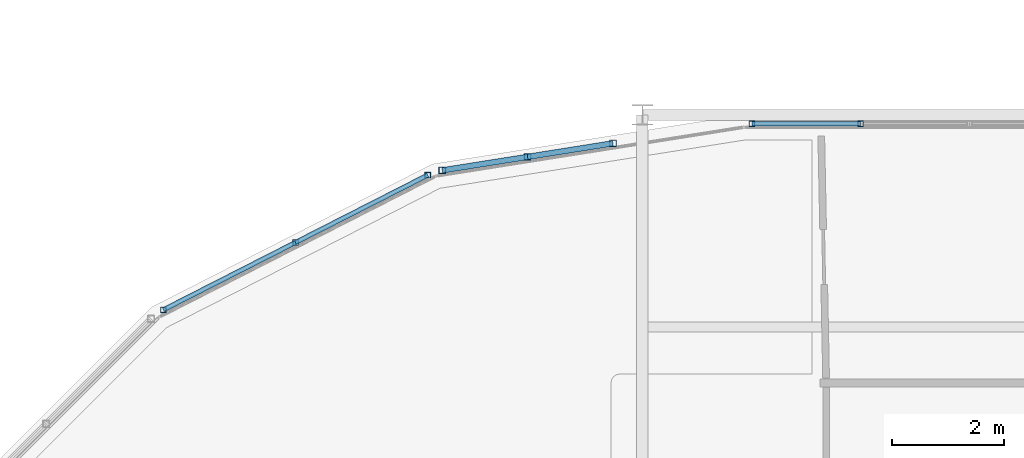
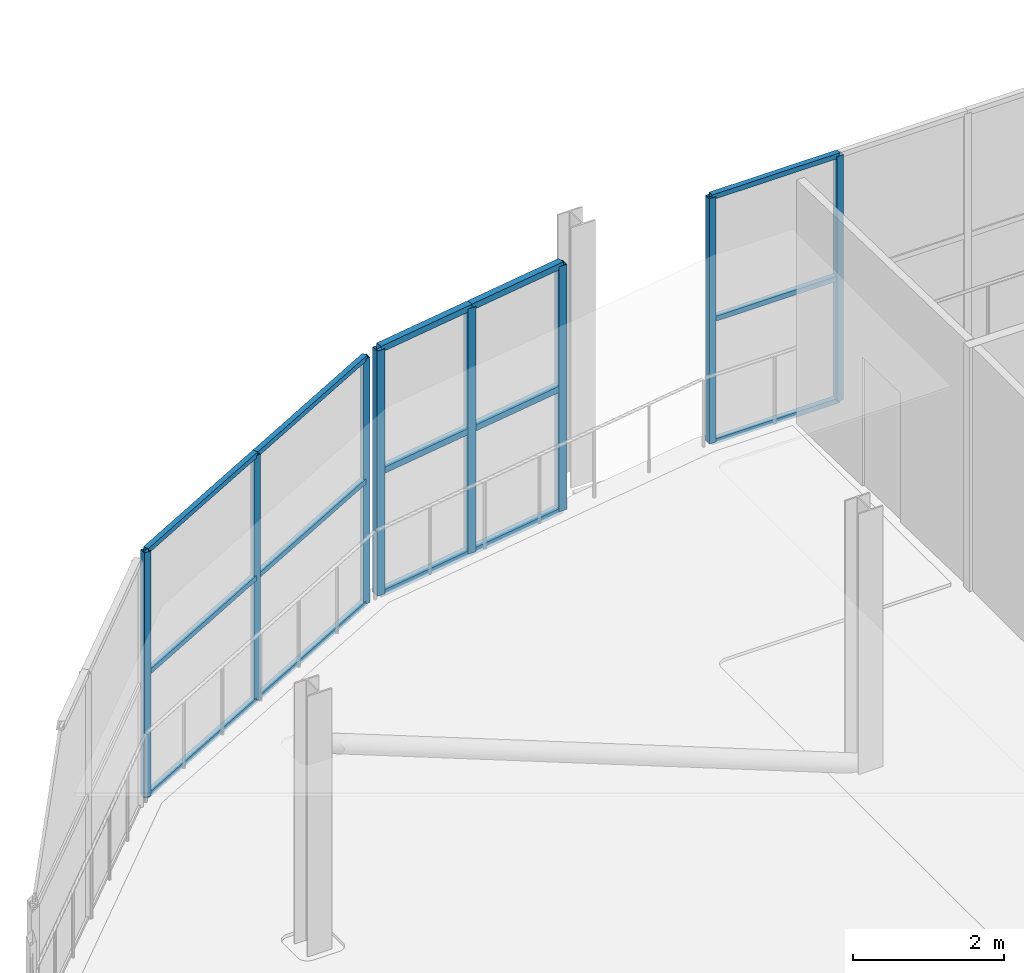
# One storey, part 56 of 217: 23 members, 3 elements without a shape of their own.
"""IFC4 building model written with IfcOpenShell, lengths in metres."""

from ifc_helpers import new_model, si_unit, direction, frame, origin, origin_2d, place, context, subcontext, project, spatial, hollow_rectangle, extrude, material, material_profile, profile_set, type_object, element, aggregate, save


model = new_model("IFC4")

# Units and contexts
model_context = context("Model", 3, precision=1e-05, world=origin(), true_north=direction((0.0, 1.0)))
body_context = subcontext(model_context, "Body", "Model", "MODEL_VIEW")
ifc_project = project(units=[si_unit("LENGTHUNIT", "METRE"), si_unit("AREAUNIT", "SQUARE_METRE"), si_unit("VOLUMEUNIT", "CUBIC_METRE"), si_unit("PLANEANGLEUNIT", "RADIAN"), si_unit("MASSUNIT", "GRAM", prefix="KILO")], contexts=[model_context])

# Site, building, storey
site_placement = place(None, origin())
site = spatial("IfcSite", under=ifc_project, at=site_placement, CompositionType="ELEMENT")
building_placement = place(site_placement, origin())
building = spatial("IfcBuilding", under=site, at=building_placement, Name="Zuvorla Pavilion Media Centre", CompositionType="ELEMENT")
storey_placement = place(building_placement, frame((0.0, 0.0, 9.60009765625)))
storey = spatial("IfcBuildingStorey", under=building, at=storey_placement, Name="L02", CompositionType="ELEMENT", Elevation=9.60009765625)

# Curtain wall, members
ifc_material_1 = material(Name="Unitised anodised aluminium and solar glass curtain wall", Category="aluminium")
curtain_wall_type_1 = type_object("IfcCurtainWallType", Name="CW-SYS-19", PredefinedType="USERDEFINED", material=ifc_material_1)
curtain_wall_1_placement = place(storey_placement, origin())
curtain_wall_1 = element("IfcCurtainWall", 1, at=curtain_wall_1_placement, inside=storey, type_object=curtain_wall_type_1, Name="L02 curtain wall CW19 26", ObjectType="CURTAIN WALL", PredefinedType="USERDEFINED")
ifc_material_2 = material(Name="Anodised aluminium 6063-T6", Category="aluminium")
ifc_material_profile_1 = material_profile(ifc_material_2, hollow_rectangle(XDim=0.10009765625, YDim=0.10009765625, WallThickness=0.00439453125, at=origin_2d()), Name="ALU MULL 100x100")
ifc_profile_set_1 = profile_set([ifc_material_profile_1], Name="Anodised aluminium 6063-T6")
member_type_1 = type_object("IfcMemberType", Name="CW-MULL-100", PredefinedType="MULLION", material=ifc_profile_set_1)
member_1_placement = place(storey_placement, frame((28.70654296875, 89.43994140625, 0.0), z_axis=(0.0, 0.0, 1.0), x_axis=(1.0, 0.0, 0.0)))
member_1 = element("IfcMember", 2, at=member_1_placement, type_object=member_type_1, Name="CW19 mullion 3", PredefinedType="MULLION", context=body_context, shape_type="SweptSolid", body=[
    extrude(hollow_rectangle(XDim=0.10009765625, YDim=0.10009765625, WallThickness=0.00439453125, at=origin_2d()), origin(), (0.0, 0.0, 1.0), 3.949951171875),
])
member_2_placement = place(storey_placement, frame((26.760009765625, 89.43994140625, 0.0), z_axis=(0.0, 0.0, 1.0), x_axis=(1.0, 0.0, 0.0)))
member_2 = element("IfcMember", 3, at=member_2_placement, type_object=member_type_1, Name="CW19 mullion 4", PredefinedType="MULLION", context=body_context, shape_type="SweptSolid", body=[
    extrude(hollow_rectangle(XDim=0.10009765625, YDim=0.10009765625, WallThickness=0.00439453125, at=origin_2d()), origin(), (0.0, 0.0, 1.0), 3.949951171875),
])

curtain_wall_type_2 = type_object("IfcCurtainWallType", Name="CW-SYS-02", PredefinedType="USERDEFINED", material=ifc_material_1)
curtain_wall_2_placement = place(storey_placement, origin())
curtain_wall_2 = element("IfcCurtainWall", 4, at=curtain_wall_2_placement, inside=storey, type_object=curtain_wall_type_2, Name="L02 curtain wall CW02 28", ObjectType="CURTAIN WALL", PredefinedType="USERDEFINED")
member_3_placement = place(storey_placement, frame((20.958740234375, 88.521484375, 0.0), z_axis=(0.0, 0.0, 1.0), x_axis=(1.0, 0.0, 0.0)))
member_3 = element("IfcMember", 5, at=member_3_placement, type_object=member_type_1, Name="CW02 mullion 1", PredefinedType="MULLION", context=body_context, shape_type="SweptSolid", body=[
    extrude(hollow_rectangle(XDim=0.10009765625, YDim=0.10009765625, WallThickness=0.00439453125, at=origin_2d()), origin(), (0.0, 0.0, 1.0), 3.949951171875),
])
member_4_placement = place(storey_placement, frame((18.59228515625, 87.31591796875, 0.0), z_axis=(0.0, 0.0, 1.0), x_axis=(1.0, 0.0, 0.0)))
member_4 = element("IfcMember", 6, at=member_4_placement, type_object=member_type_1, Name="CW02 mullion 2", PredefinedType="MULLION", context=body_context, shape_type="SweptSolid", body=[
    extrude(hollow_rectangle(XDim=0.10009765625, YDim=0.10009765625, WallThickness=0.00439453125, at=origin_2d()), origin(), (0.0, 0.0, 1.0), 3.949951171875),
])
member_5_placement = place(storey_placement, frame((16.22607421875, 86.110107421875, 0.0), z_axis=(0.0, 0.0, 1.0), x_axis=(1.0, 0.0, 0.0)))
member_5 = element("IfcMember", 7, at=member_5_placement, type_object=member_type_1, Name="CW02 mullion 3", PredefinedType="MULLION", context=body_context, shape_type="SweptSolid", body=[
    extrude(hollow_rectangle(XDim=0.10009765625, YDim=0.10009765625, WallThickness=0.00439453125, at=origin_2d()), origin(), (0.0, 0.0, 1.0), 3.949951171875),
])

curtain_wall_type_3 = type_object("IfcCurtainWallType", Name="CW-SYS-01", PredefinedType="USERDEFINED", material=ifc_material_1)
curtain_wall_3_placement = place(storey_placement, origin())
curtain_wall_3 = element("IfcCurtainWall", 8, at=curtain_wall_3_placement, inside=storey, type_object=curtain_wall_type_3, Name="L02 curtain wall CW01 27", ObjectType="CURTAIN WALL", PredefinedType="USERDEFINED")
ifc_material_profile_2 = material_profile(ifc_material_2, hollow_rectangle(XDim=0.1201171875, YDim=0.1201171875, WallThickness=0.0048828125, at=origin_2d()), Name="ALU MULL 120x120")
ifc_profile_set_2 = profile_set([ifc_material_profile_2], Name="Anodised aluminium 6063-T6")
member_type_2 = type_object("IfcMemberType", Name="CW-MULL-120", PredefinedType="MULLION", material=ifc_profile_set_2)
member_6_placement = place(storey_placement, frame((24.273193359375, 89.089599609375, 0.0), z_axis=(0.0, 0.0, 1.0), x_axis=(1.0, 0.0, 0.0)))
member_6 = element("IfcMember", 9, at=member_6_placement, type_object=member_type_2, Name="CW01 mullion 1", PredefinedType="MULLION", context=body_context, shape_type="SweptSolid", body=[
    extrude(hollow_rectangle(XDim=0.1201171875, YDim=0.1201171875, WallThickness=0.0048828125, at=origin_2d()), origin(), (0.0, 0.0, 1.0), 3.949951171875),
])
member_7_placement = place(storey_placement, frame((22.745361328125, 88.84765625, 0.0), z_axis=(0.0, 0.0, 1.0), x_axis=(1.0, 0.0, 0.0)))
member_7 = element("IfcMember", 10, at=member_7_placement, type_object=member_type_2, Name="CW01 mullion 2", PredefinedType="MULLION", context=body_context, shape_type="SweptSolid", body=[
    extrude(hollow_rectangle(XDim=0.1201171875, YDim=0.1201171875, WallThickness=0.0048828125, at=origin_2d()), origin(), (0.0, 0.0, 1.0), 3.949951171875),
])
member_8_placement = place(storey_placement, frame((21.217529296875, 88.605712890625, 0.0), z_axis=(0.0, 0.0, 1.0), x_axis=(1.0, 0.0, 0.0)))
member_8 = element("IfcMember", 11, at=member_8_placement, type_object=member_type_2, Name="CW01 mullion 3", PredefinedType="MULLION", context=body_context, shape_type="SweptSolid", body=[
    extrude(hollow_rectangle(XDim=0.1201171875, YDim=0.1201171875, WallThickness=0.0048828125, at=origin_2d()), origin(), (0.0, 0.0, 1.0), 3.949951171875),
])
ifc_material_profile_3 = material_profile(ifc_material_2, hollow_rectangle(XDim=0.10009765625, YDim=0.10009765625, WallThickness=0.00439453125, at=origin_2d()), Name="ALU TRAN 100x100")
ifc_profile_set_3 = profile_set([ifc_material_profile_3], Name="Anodised aluminium 6063-T6")
member_type_3 = type_object("IfcMemberType", Name="CW-TRAN-100", PredefinedType="USERDEFINED", material=ifc_profile_set_3)
member_9_placement = place(storey_placement, frame((24.273193359375, 89.089599609375, 0.0), z_axis=(-0.987692481644, -0.156408317243, 0.0), x_axis=(0.156408317243, -0.987692481644, 0.0)))
member_9 = element("IfcMember", 12, at=member_9_placement, type_object=member_type_3, Name="CW01 transom 1.1", ObjectType="TRANSOM", PredefinedType="USERDEFINED", context=body_context, shape_type="SweptSolid", body=[
    extrude(hollow_rectangle(XDim=0.10009765625, YDim=0.10009765625, WallThickness=0.00439453125, at=origin_2d()), origin(), (0.0, 0.0, 1.0), 1.546875),
])
member_10_placement = place(storey_placement, frame((24.273193359375, 89.089599609375, 1.974853515625), z_axis=(-0.987692481644, -0.156408317243, 0.0), x_axis=(0.156408317243, -0.987692481644, 0.0)))
member_10 = element("IfcMember", 13, at=member_10_placement, type_object=member_type_3, Name="CW01 transom 1.2", ObjectType="TRANSOM", PredefinedType="USERDEFINED", context=body_context, shape_type="SweptSolid", body=[
    extrude(hollow_rectangle(XDim=0.10009765625, YDim=0.10009765625, WallThickness=0.00439453125, at=origin_2d()), origin(), (0.0, 0.0, 1.0), 1.546875),
])
member_11_placement = place(storey_placement, frame((24.273193359375, 89.089599609375, 3.949951171875), z_axis=(-0.987692481644, -0.156408317243, 0.0), x_axis=(0.156408317243, -0.987692481644, 0.0)))
member_11 = element("IfcMember", 14, at=member_11_placement, type_object=member_type_3, Name="CW01 transom 1.3", ObjectType="TRANSOM", PredefinedType="USERDEFINED", context=body_context, shape_type="SweptSolid", body=[
    extrude(hollow_rectangle(XDim=0.10009765625, YDim=0.10009765625, WallThickness=0.00439453125, at=origin_2d()), origin(), (0.0, 0.0, 1.0), 1.546875),
])
member_12_placement = place(storey_placement, frame((22.745361328125, 88.84765625, 0.0), z_axis=(-0.987692481644, -0.156408317243, 0.0), x_axis=(0.156408317243, -0.987692481644, 0.0)))
member_12 = element("IfcMember", 15, at=member_12_placement, type_object=member_type_3, Name="CW01 transom 2.1", ObjectType="TRANSOM", PredefinedType="USERDEFINED", context=body_context, shape_type="SweptSolid", body=[
    extrude(hollow_rectangle(XDim=0.10009765625, YDim=0.10009765625, WallThickness=0.00439453125, at=origin_2d()), origin(), (0.0, 0.0, 1.0), 1.546875),
])
member_13_placement = place(storey_placement, frame((22.745361328125, 88.84765625, 1.974853515625), z_axis=(-0.987692481644, -0.156408317243, 0.0), x_axis=(0.156408317243, -0.987692481644, 0.0)))
member_13 = element("IfcMember", 16, at=member_13_placement, type_object=member_type_3, Name="CW01 transom 2.2", ObjectType="TRANSOM", PredefinedType="USERDEFINED", context=body_context, shape_type="SweptSolid", body=[
    extrude(hollow_rectangle(XDim=0.10009765625, YDim=0.10009765625, WallThickness=0.00439453125, at=origin_2d()), origin(), (0.0, 0.0, 1.0), 1.546875),
])
member_14_placement = place(storey_placement, frame((22.745361328125, 88.84765625, 3.949951171875), z_axis=(-0.987692481644, -0.156408317243, 0.0), x_axis=(0.156408317243, -0.987692481644, 0.0)))
member_14 = element("IfcMember", 17, at=member_14_placement, type_object=member_type_3, Name="CW01 transom 2.3", ObjectType="TRANSOM", PredefinedType="USERDEFINED", context=body_context, shape_type="SweptSolid", body=[
    extrude(hollow_rectangle(XDim=0.10009765625, YDim=0.10009765625, WallThickness=0.00439453125, at=origin_2d()), origin(), (0.0, 0.0, 1.0), 1.546875),
])
aggregate(curtain_wall_3, [member_6, member_7, member_8, member_9, member_10, member_11, member_12, member_13, member_14])

# Member
ifc_material_profile_4 = material_profile(ifc_material_2, hollow_rectangle(XDim=0.080078125, YDim=0.080078125, WallThickness=0.00390625, at=origin_2d()), Name="ALU TRAN 80x80")
ifc_profile_set_4 = profile_set([ifc_material_profile_4], Name="Anodised aluminium 6063-T6")
member_type_4 = type_object("IfcMemberType", Name="CW-TRAN-80", PredefinedType="USERDEFINED", material=ifc_profile_set_4)
member_15_placement = place(storey_placement, frame((28.70654296875, 89.43994140625, 0.0), z_axis=(-1.0, 0.0, 0.0), x_axis=(0.0, -1.0, 0.0)))
member_15 = element("IfcMember", 18, at=member_15_placement, type_object=member_type_4, Name="CW19 transom 3.1", ObjectType="TRANSOM", PredefinedType="USERDEFINED", context=body_context, shape_type="SweptSolid", body=[
    extrude(hollow_rectangle(XDim=0.080078125, YDim=0.080078125, WallThickness=0.00390625, at=origin_2d()), origin(), (0.0, 0.0, 1.0), 1.946533203125),
])

member_16_placement = place(storey_placement, frame((28.70654296875, 89.43994140625, 1.974853515625), z_axis=(-1.0, 0.0, 0.0), x_axis=(0.0, -1.0, 0.0)))
member_16 = element("IfcMember", 19, at=member_16_placement, type_object=member_type_4, Name="CW19 transom 3.2", ObjectType="TRANSOM", PredefinedType="USERDEFINED", context=body_context, shape_type="SweptSolid", body=[
    extrude(hollow_rectangle(XDim=0.080078125, YDim=0.080078125, WallThickness=0.00390625, at=origin_2d()), origin(), (0.0, 0.0, 1.0), 1.946533203125),
])

member_17_placement = place(storey_placement, frame((28.70654296875, 89.43994140625, 3.949951171875), z_axis=(-1.0, 0.0, 0.0), x_axis=(0.0, -1.0, 0.0)))
member_17 = element("IfcMember", 20, at=member_17_placement, type_object=member_type_4, Name="CW19 transom 3.3", ObjectType="TRANSOM", PredefinedType="USERDEFINED", context=body_context, shape_type="SweptSolid", body=[
    extrude(hollow_rectangle(XDim=0.080078125, YDim=0.080078125, WallThickness=0.00390625, at=origin_2d()), origin(), (0.0, 0.0, 1.0), 1.946533203125),
])

aggregate(curtain_wall_1, [member_1, member_2, member_15, member_16, member_17])

member_18_placement = place(storey_placement, frame((20.958740234375, 88.521484375, 0.0), z_axis=(-0.891037392272, -0.453929912622, 0.0), x_axis=(0.453929912622, -0.891037392272, 0.0)))
member_18 = element("IfcMember", 21, at=member_18_placement, type_object=member_type_4, Name="CW02 transom 1.1", ObjectType="TRANSOM", PredefinedType="USERDEFINED", context=body_context, shape_type="SweptSolid", body=[
    extrude(hollow_rectangle(XDim=0.080078125, YDim=0.080078125, WallThickness=0.00390625, at=origin_2d()), origin(), (0.0, 0.0, 1.0), 2.65576171875),
])

member_19_placement = place(storey_placement, frame((20.958740234375, 88.521484375, 1.974853515625), z_axis=(-0.891037392272, -0.453929912622, 0.0), x_axis=(0.453929912622, -0.891037392272, 0.0)))
member_19 = element("IfcMember", 22, at=member_19_placement, type_object=member_type_4, Name="CW02 transom 1.2", ObjectType="TRANSOM", PredefinedType="USERDEFINED", context=body_context, shape_type="SweptSolid", body=[
    extrude(hollow_rectangle(XDim=0.080078125, YDim=0.080078125, WallThickness=0.00390625, at=origin_2d()), origin(), (0.0, 0.0, 1.0), 2.65576171875),
])

member_20_placement = place(storey_placement, frame((20.958740234375, 88.521484375, 3.949951171875), z_axis=(-0.891037392272, -0.453929912622, 0.0), x_axis=(0.453929912622, -0.891037392272, 0.0)))
member_20 = element("IfcMember", 23, at=member_20_placement, type_object=member_type_4, Name="CW02 transom 1.3", ObjectType="TRANSOM", PredefinedType="USERDEFINED", context=body_context, shape_type="SweptSolid", body=[
    extrude(hollow_rectangle(XDim=0.080078125, YDim=0.080078125, WallThickness=0.00390625, at=origin_2d()), origin(), (0.0, 0.0, 1.0), 2.65576171875),
])

member_21_placement = place(storey_placement, frame((18.59228515625, 87.31591796875, 0.0), z_axis=(-0.890981260547, -0.454040079018, 0.0), x_axis=(0.454040079018, -0.890981260547, 0.0)))
member_21 = element("IfcMember", 24, at=member_21_placement, type_object=member_type_4, Name="CW02 transom 2.1", ObjectType="TRANSOM", PredefinedType="USERDEFINED", context=body_context, shape_type="SweptSolid", body=[
    extrude(hollow_rectangle(XDim=0.080078125, YDim=0.080078125, WallThickness=0.00390625, at=origin_2d()), origin(), (0.0, 0.0, 1.0), 2.65576171875),
])

member_22_placement = place(storey_placement, frame((18.59228515625, 87.31591796875, 1.974853515625), z_axis=(-0.890981260547, -0.454040079018, 0.0), x_axis=(0.454040079018, -0.890981260547, 0.0)))
member_22 = element("IfcMember", 25, at=member_22_placement, type_object=member_type_4, Name="CW02 transom 2.2", ObjectType="TRANSOM", PredefinedType="USERDEFINED", context=body_context, shape_type="SweptSolid", body=[
    extrude(hollow_rectangle(XDim=0.080078125, YDim=0.080078125, WallThickness=0.00390625, at=origin_2d()), origin(), (0.0, 0.0, 1.0), 2.65576171875),
])

member_23_placement = place(storey_placement, frame((18.59228515625, 87.31591796875, 3.949951171875), z_axis=(-0.890981260547, -0.454040079018, 0.0), x_axis=(0.454040079018, -0.890981260547, 0.0)))
member_23 = element("IfcMember", 26, at=member_23_placement, type_object=member_type_4, Name="CW02 transom 2.3", ObjectType="TRANSOM", PredefinedType="USERDEFINED", context=body_context, shape_type="SweptSolid", body=[
    extrude(hollow_rectangle(XDim=0.080078125, YDim=0.080078125, WallThickness=0.00390625, at=origin_2d()), origin(), (0.0, 0.0, 1.0), 2.65576171875),
])

aggregate(curtain_wall_2, [member_3, member_4, member_5, member_18, member_19, member_20, member_21, member_22, member_23])

save(model, "model.ifc")
